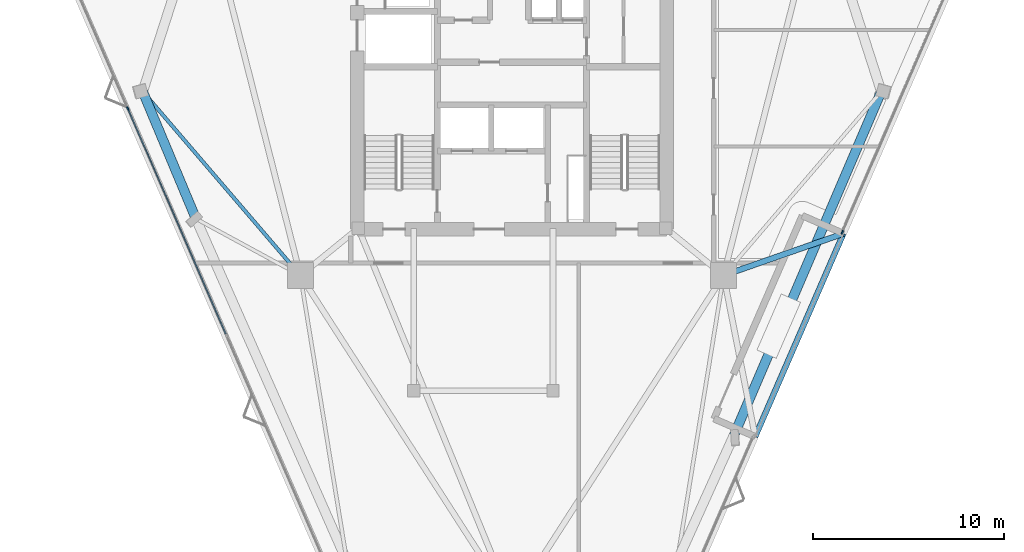
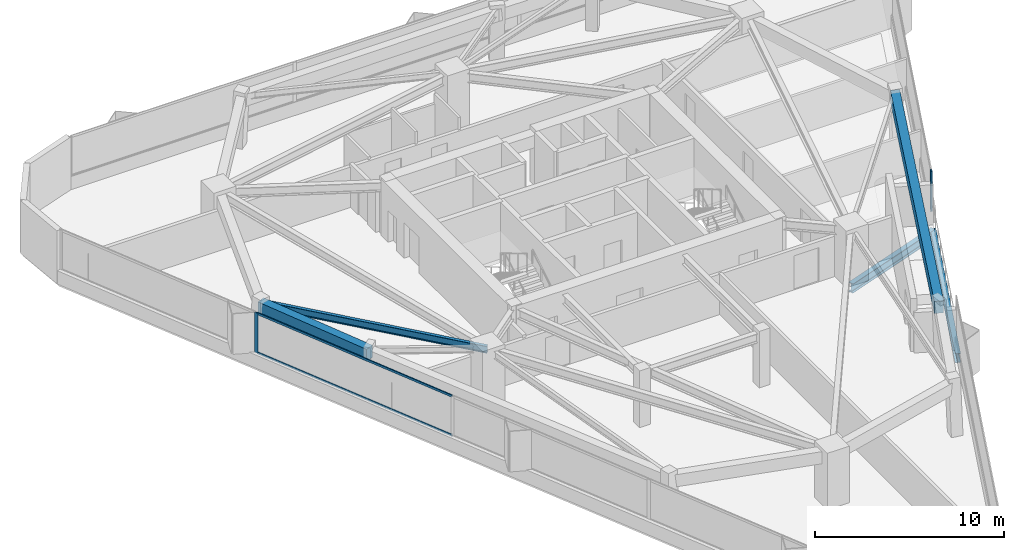
# One storey, part 3 of 11: 5 beams, 4 members, 2 elements without a shape of their own.
"""IFC4 building model written with IfcOpenShell, lengths in metres."""

from ifc_helpers import new_model, si_unit, direction, frame, origin, origin_2d, place, context, subcontext, project, spatial, rectangle, i_section, extrude, material, layer, layer_set, material_profile, profile_set, type_object, element, aggregate, save


model = new_model("IFC4")

# Units and contexts
model_context = context("Model", 3, precision=1e-05, world=origin(), true_north=direction((0.0, 1.0)))
body_context = subcontext(model_context, "Body", "Model", "MODEL_VIEW")
ifc_project = project(units=[si_unit("LENGTHUNIT", "METRE"), si_unit("AREAUNIT", "SQUARE_METRE"), si_unit("VOLUMEUNIT", "CUBIC_METRE"), si_unit("PLANEANGLEUNIT", "RADIAN"), si_unit("MASSUNIT", "GRAM", prefix="KILO")], contexts=[model_context])

# Site, building, storey
site_placement = place(None, origin())
site = spatial("IfcSite", under=ifc_project, at=site_placement, CompositionType="ELEMENT")
building_placement = place(site_placement, origin())
building = spatial("IfcBuilding", under=site, at=building_placement, Name="Talyreon Biosciences Tower", CompositionType="ELEMENT")
storey_placement = place(building_placement, frame((0.0, 0.0, 201.300048828125)))
storey = spatial("IfcBuildingStorey", under=building, at=storey_placement, Name="L53", CompositionType="ELEMENT", Elevation=201.300048828125)

# Curtain wall, member
ifc_material_1 = material(Name="Thermally broken aluminium and low-E glazing", Category="aluminium")
ifc_layer = layer(ifc_material_1, 0.205078125)
ifc_layer_set = layer_set([ifc_layer], Name="Thermally broken aluminium and low-E glazing")
curtain_wall_type = type_object("IfcCurtainWallType", Name="CurtainWall_SkyGardenLoggia", PredefinedType="NOTDEFINED", material=ifc_layer_set)
curtain_wall_1_placement = place(storey_placement, origin())
curtain_wall_1 = element("IfcCurtainWall", 1, at=curtain_wall_1_placement, inside=storey, type_object=curtain_wall_type, Name="L53 Unitised Curtain Wall FCW-L53-07", PredefinedType="NOTDEFINED")
ifc_material_2 = material(Name="Anodised thermally broken aluminium", Category="aluminium")
ifc_material_profile_1 = material_profile(ifc_material_2, rectangle(XDim=0.074951171875, YDim=0.2099609375, at=origin_2d()), Name="ALUM MULLION 75x210")
ifc_profile_set_1 = profile_set([ifc_material_profile_1], Name="Anodised thermally broken aluminium")
member_type_1 = type_object("IfcMemberType", Name="CWMullion_75x210", PredefinedType="MULLION", material=ifc_profile_set_1)
member_1_placement = place(storey_placement, frame((83.30517578125, 61.140625, 0.81005859375), z_axis=(0.0, 0.0, 1.0), x_axis=(0.91711290669, -0.398627540924, 0.0)))
member_1 = element("IfcMember", 2, at=member_1_placement, type_object=member_type_1, Name="CW7 mullion 2", PredefinedType="MULLION", context=body_context, shape_type="SweptSolid", body=[
    extrude(rectangle(XDim=0.074951171875, YDim=0.2099609375, at=origin_2d()), origin(), (0.0, 0.0, 1.0), 2.58984375),
])
aggregate(curtain_wall_1, [member_1])

# Curtain wall, members
curtain_wall_2_placement = place(storey_placement, origin())
curtain_wall_2 = element("IfcCurtainWall", 3, at=curtain_wall_2_placement, inside=storey, type_object=curtain_wall_type, Name="L53 Unitised Curtain Wall FCW-L53-15", PredefinedType="NOTDEFINED")
member_2_placement = place(storey_placement, frame((45.88037109375, 67.61572265625, 0.81005859375), z_axis=(0.0, 0.0, 1.0), x_axis=(-0.917113439943, -0.398626314079, 0.0)))
member_2 = element("IfcMember", 4, at=member_2_placement, type_object=member_type_1, Name="CW7 mullion 4", PredefinedType="MULLION", context=body_context, shape_type="SweptSolid", body=[
    extrude(rectangle(XDim=0.074951171875, YDim=0.2099609375, at=origin_2d()), origin(), (0.0, 0.0, 1.0), 2.58984375),
])
ifc_material_profile_2 = material_profile(ifc_material_2, rectangle(XDim=0.06494140625, YDim=0.139892578125, at=origin_2d()), Name="ALUM TRANSOM 65x140")
ifc_profile_set_2 = profile_set([ifc_material_profile_2], Name="Anodised thermally broken aluminium")
member_type_2 = type_object("IfcMemberType", Name="CWTransom_65x140", PredefinedType="USERDEFINED", material=ifc_profile_set_2)
member_3_placement = place(storey_placement, frame((51.0068359375, 55.821533203125, 0.842529296875), z_axis=(-0.398636298553, 0.917109100095, 0.0), x_axis=(-0.917109100095, -0.398636298553, 0.0)))
member_3 = element("IfcMember", 5, at=member_3_placement, type_object=member_type_2, Name="CW7 transom 3.1", ObjectType="TRANSOM", PredefinedType="USERDEFINED", context=body_context, shape_type="SweptSolid", body=[
    extrude(rectangle(XDim=0.06494140625, YDim=0.139892578125, at=origin_2d()), origin(), (0.0, 0.0, 1.0), 12.82275390625),
])
member_4_placement = place(storey_placement, frame((51.0068359375, 55.821533203125, 3.367431640625), z_axis=(-0.398636298553, 0.917109100095, 0.0), x_axis=(-0.917109100095, -0.398636298553, 0.0)))
member_4 = element("IfcMember", 6, at=member_4_placement, type_object=member_type_2, Name="CW7 transom 3.2", ObjectType="TRANSOM", PredefinedType="USERDEFINED", context=body_context, shape_type="SweptSolid", body=[
    extrude(rectangle(XDim=0.06494140625, YDim=0.139892578125, at=origin_2d()), origin(), (0.0, 0.0, 1.0), 12.82275390625),
])
aggregate(curtain_wall_2, [member_2, member_3, member_4])

# Beams
ifc_material_3 = material(Name="Precast concrete C45/55", Category="concrete")
ifc_material_profile_3 = material_profile(ifc_material_3, rectangle(XDim=0.5, YDim=0.780029296875, at=origin_2d()), Name="RCB 500x780")
ifc_profile_set_3 = profile_set([ifc_material_profile_3], Name="Precast concrete C45/55")
beam_type_1 = type_object("IfcBeamType", Name="ExpressedSpandrel_500x780", PredefinedType="SPANDREL", material=ifc_profile_set_3)
beam_1_placement = place(storey_placement, frame((77.620849609375, 50.495849609375, 3.010009765625), z_axis=(0.393944848979, 0.919134079426, 0.0), x_axis=(-0.919134079426, 0.393944848979, 0.0)))
element("IfcBeam", 7, at=beam_1_placement, inside=storey, type_object=beam_type_1, Name="L53 Expressed Horizontal Concrete Spandrel 03", PredefinedType="SPANDREL", context=body_context, shape_type="SweptSolid", body=[
    extrude(rectangle(XDim=0.5, YDim=0.780029296875, at=origin_2d()), origin(), (0.0, 0.0, 1.0), 19.604736328125),
])
beam_2_placement = place(storey_placement, frame((46.656005859375, 68.51513671875, 3.010009765625), z_axis=(0.385884587901, -0.922547063743, 0.0), x_axis=(0.922547063743, 0.385884587901, 0.0)))
element("IfcBeam", 8, at=beam_2_placement, inside=storey, type_object=beam_type_1, Name="L53 Expressed Horizontal Concrete Spandrel 10", PredefinedType="SPANDREL", context=body_context, shape_type="SweptSolid", body=[
    extrude(rectangle(XDim=0.5, YDim=0.780029296875, at=origin_2d()), origin(), (0.0, 0.0, 1.0), 7.223388671875),
])
ifc_material_4 = material(Name="Steel SM355", Category="steel")
ifc_material_profile_4 = material_profile(ifc_material_4, i_section(OverallWidth=0.300048828125, OverallDepth=0.60009765625, WebThickness=0.015380859375, FlangeThickness=0.030029296875, FilletRadius=0.027099609375, at=origin_2d()), Name="HE600B")
ifc_profile_set_4 = profile_set([ifc_material_profile_4], Name="Steel SM355")
beam_type_2 = type_object("IfcBeamType", Name="SteelBeam_HE600B", PredefinedType="BEAM", material=ifc_profile_set_4)
beam_3_placement = place(storey_placement, frame((77.086181640625, 58.88037109375, -0.630126953125), z_axis=(0.94400193032, 0.329939927188, 0.0), x_axis=(-0.329939927188, 0.94400193032, 0.0)))
element("IfcBeam", 9, at=beam_3_placement, inside=storey, type_object=beam_type_2, Name="L53 Sky-Garden Terrace Edge Outrigger 2", PredefinedType="BEAM", context=body_context, shape_type="SweptSolid", body=[
    extrude(i_section(OverallWidth=0.300048828125, OverallDepth=0.60009765625, WebThickness=0.015380859375, FlangeThickness=0.030029296875, FilletRadius=0.027099609375, at=origin_2d()), origin(), (0.0, 0.0, 1.0), 6.64990234375),
])
beam_4_placement = place(storey_placement, frame((78.739501953125, 50.435791015625, -0.630126953125), z_axis=(0.398636069233, 0.917109199772, 0.0), x_axis=(-0.917109199772, 0.398636069233, 0.0)))
element("IfcBeam", 10, at=beam_4_placement, inside=storey, type_object=beam_type_2, Name="L53 Sky-Garden Terrace Outer Edge Beam", PredefinedType="BEAM", context=body_context, shape_type="SweptSolid", body=[
    extrude(i_section(OverallWidth=0.300048828125, OverallDepth=0.60009765625, WebThickness=0.015380859375, FlangeThickness=0.030029296875, FilletRadius=0.027099609375, at=origin_2d()), origin(), (0.0, 0.0, 1.0), 11.600341796875),
])
ifc_material_profile_5 = material_profile(ifc_material_4, i_section(OverallWidth=0.18994140625, OverallDepth=0.449951171875, WebThickness=0.009521484375, FlangeThickness=0.0146484375, FilletRadius=0.02099609375, at=origin_2d()), Name="IPE450")
ifc_profile_set_5 = profile_set([ifc_material_profile_5], Name="Steel SM355")
beam_type_3 = type_object("IfcBeamType", Name="SteelJoist_IPE450", PredefinedType="JOIST", material=ifc_profile_set_5)
beam_5_placement = place(storey_placement, frame((54.913818359375, 58.88037109375, 3.175048828125), z_axis=(-0.650766021865, 0.759278331566, 0.0), x_axis=(-0.759278331566, -0.650766021865, 0.0)))
element("IfcBeam", 11, at=beam_5_placement, inside=storey, type_object=beam_type_3, Name="L53 Radial Composite Floor Joist PC-SW1", PredefinedType="JOIST", context=body_context, shape_type="SweptSolid", body=[
    extrude(i_section(OverallWidth=0.18994140625, OverallDepth=0.449951171875, WebThickness=0.009521484375, FlangeThickness=0.0146484375, FilletRadius=0.02099609375, at=origin_2d()), origin(), (0.0, 0.0, 1.0), 12.689453125),
])

save(model, "model.ifc")
